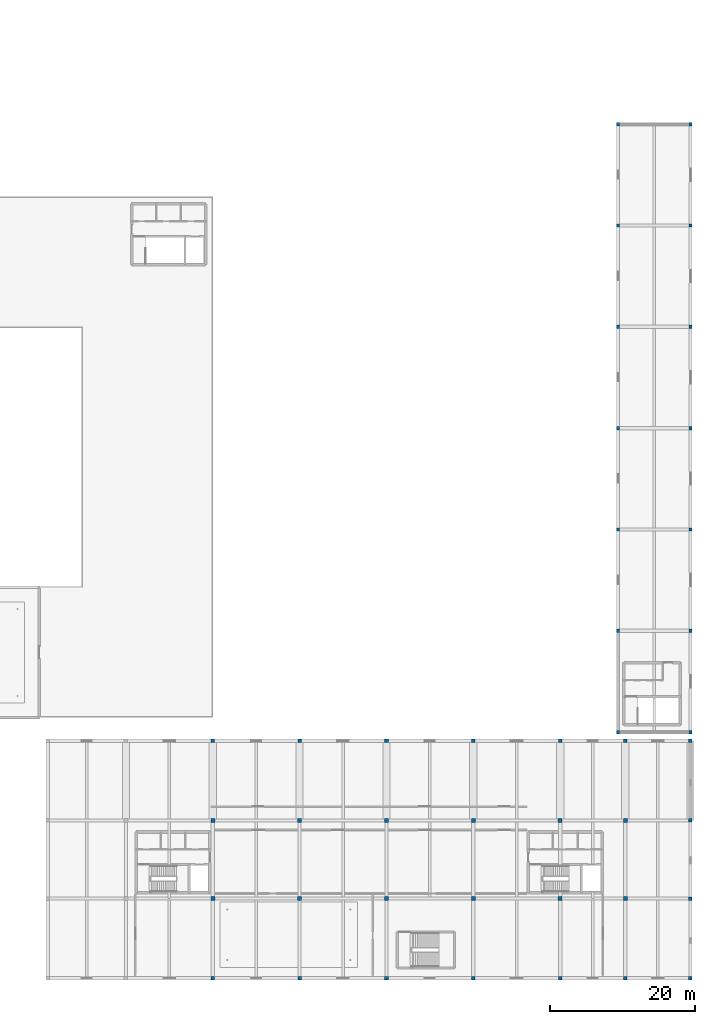
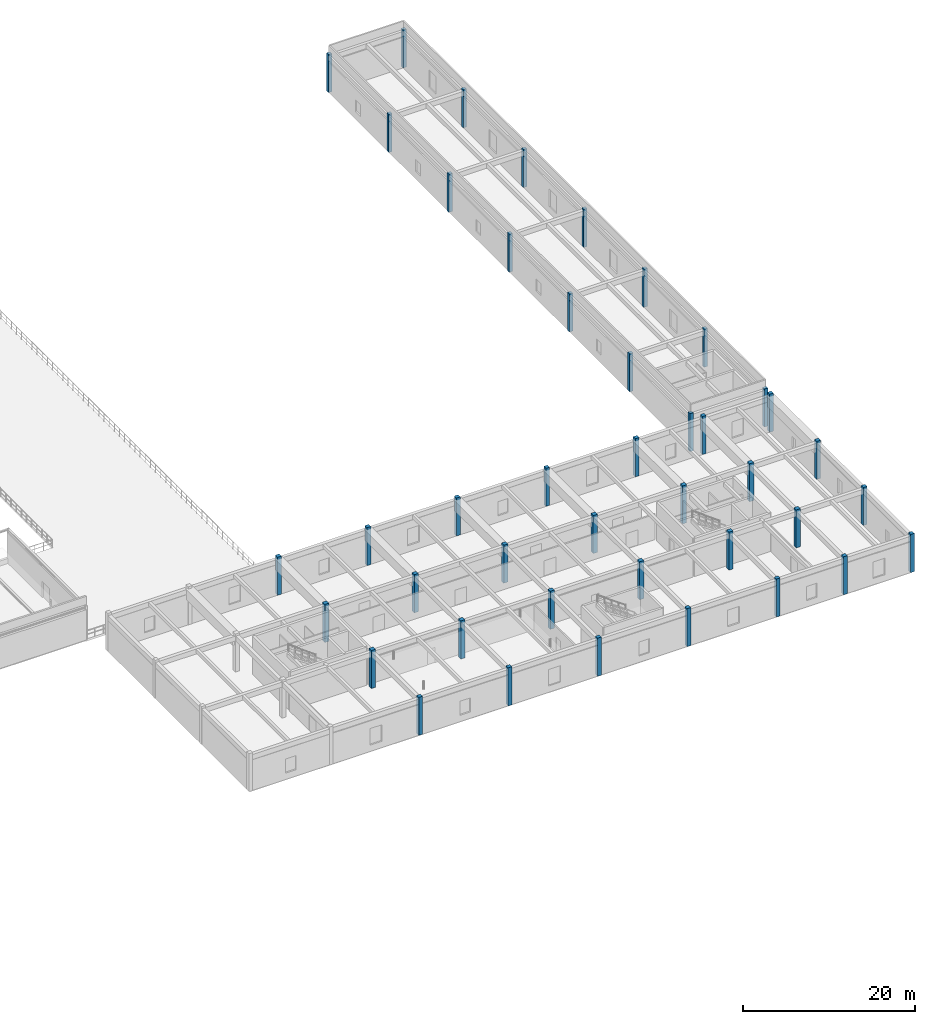
# One storey, part 12 of 97: 42 columns.
"""IFC4 building model written with IfcOpenShell, lengths in metres."""

from ifc_helpers import new_model, si_unit, derived_unit, direction, frame, origin, origin_2d, place, context, subcontext, project, spatial, rectangle, extrude, material, material_profile, profile_set, type_object, element, save


model = new_model("IFC4")

# Units and contexts
model_context = context("Model", 3, precision=1e-05, world=origin(), true_north=direction((0.0, 1.0)))
body_context = subcontext(model_context, "Body", "Model", "MODEL_VIEW")
ifc_project = project(units=[si_unit("LENGTHUNIT", "METRE"), si_unit("AREAUNIT", "SQUARE_METRE"), si_unit("VOLUMEUNIT", "CUBIC_METRE"), si_unit("PLANEANGLEUNIT", "RADIAN"), si_unit("MASSUNIT", "GRAM", prefix="KILO"), derived_unit("THERMALTRANSMITTANCEUNIT", [(si_unit("POWERUNIT", "WATT"), 1), (si_unit("LENGTHUNIT", "METRE"), -2), (si_unit("THERMODYNAMICTEMPERATUREUNIT", "KELVIN"), -1)])], contexts=[model_context])

# Site, building, storey
site_placement = place(None, origin())
site = spatial("IfcSite", under=ifc_project, at=site_placement, CompositionType="ELEMENT")
building_placement = place(site_placement, origin())
building = spatial("IfcBuilding", under=site, at=building_placement, Name="Almenara Railside Exhibition Hall", CompositionType="ELEMENT")
storey_placement = place(building_placement, frame((0.0, 0.0, 10.800048828125)))
storey = spatial("IfcBuildingStorey", under=building, at=storey_placement, Name="L02", CompositionType="ELEMENT", Elevation=10.800048828125)

# Columns
ifc_material = material(Name="Concrete C35/45", Category="concrete")
ifc_material_profile_1 = material_profile(ifc_material, rectangle(XDim=0.449951171875, YDim=0.449951171875, at=origin_2d()), Name="RC 450x450")
ifc_profile_set_1 = profile_set([ifc_material_profile_1], Name="Concrete C35/45")
column_type_1 = type_object("IfcColumnType", Name="RC Column 450x450 C35/45", PredefinedType="COLUMN", material=ifc_profile_set_1)
for number, where, z_axis, x_axis, name in (
    (1, (194.0, 34.0, 0.0), (0.0, 0.0, 1.0), (1.0, 0.0, 0.0), "Column 0455"),
    (2, (204.0, 34.0, 0.0), (0.0, 0.0, 1.0), (1.0, 0.0, 0.0), "Column 0458"),
    (3, (194.0, 48.0, 0.0), (0.0, 0.0, 1.0), (1.0, 0.0, 0.0), "Column 0461"),
    (4, (204.0, 48.0, 0.0), (0.0, 0.0, 1.0), (1.0, 0.0, 0.0), "Column 0464"),
    (5, (194.0, 62.0, 0.0), (0.0, 0.0, 1.0), (1.0, 0.0, 0.0), "Column 0467"),
    (6, (204.0, 62.0, 0.0), (0.0, 0.0, 1.0), (1.0, 0.0, 0.0), "Column 0470"),
    (7, (194.0, 76.0, 0.0), (0.0, 0.0, 1.0), (1.0, 0.0, 0.0), "Column 0473"),
    (8, (204.0, 76.0, 0.0), (0.0, 0.0, 1.0), (1.0, 0.0, 0.0), "Column 0476"),
    (9, (194.0, 90.0, 0.0), (0.0, 0.0, 1.0), (1.0, 0.0, 0.0), "Column 0479"),
    (10, (204.0, 90.0, 0.0), (0.0, 0.0, 1.0), (1.0, 0.0, 0.0), "Column 0482"),
    (11, (194.0, 104.0, 0.0), (0.0, 0.0, 1.0), (1.0, 0.0, 0.0), "Column 0485"),
    (12, (204.0, 104.0, 0.0), (0.0, 0.0, 1.0), (1.0, 0.0, 0.0), "Column 0488"),
    (13, (194.0, 118.0, 0.0), (0.0, 0.0, 1.0), (1.0, 0.0, 0.0), "Column 0491"),
    (14, (204.0, 118.0, 0.0), (0.0, 0.0, 1.0), (1.0, 0.0, 0.0), "Column 0494"),
):
    element("IfcColumn", number, at=place(storey_placement, frame(where, z_axis=z_axis, x_axis=x_axis)), inside=storey, type_object=column_type_1, Name=name, PredefinedType="COLUMN", context=body_context, shape_type="SweptSolid", body=[
        extrude(rectangle(XDim=0.449951171875, YDim=0.449951171875, at=origin_2d()), origin(), (0.0, 0.0, 1.0), 5.39990234375),
    ])
ifc_material_profile_2 = material_profile(ifc_material, rectangle(XDim=0.5, YDim=0.5, at=origin_2d()), Name="RC 500x500")
ifc_profile_set_2 = profile_set([ifc_material_profile_2], Name="Concrete C35/45")
column_type_2 = type_object("IfcColumnType", Name="RC Column 500x500 C35/45", PredefinedType="COLUMN", material=ifc_profile_set_2)
for number, where, z_axis, x_axis, name in (
    (15, (138.0, 0.0, 0.0), (0.0, 0.0, 1.0), (1.0, 0.0, 0.0), "Column 0323"),
    (16, (138.0, 32.800048828125, 0.0), (0.0, 0.0, 1.0), (1.0, 0.0, 0.0), "Column 0338"),
    (17, (150.0, 0.0, 0.0), (0.0, 0.0, 1.0), (1.0, 0.0, 0.0), "Column 0342"),
    (18, (150.0, 32.800048828125, 0.0), (0.0, 0.0, 1.0), (1.0, 0.0, 0.0), "Column 0357"),
    (19, (162.0, 0.0, 0.0), (0.0, 0.0, 1.0), (1.0, 0.0, 0.0), "Column 0361"),
    (20, (162.0, 32.800048828125, 0.0), (0.0, 0.0, 1.0), (1.0, 0.0, 0.0), "Column 0376"),
    (21, (174.0, 0.0, 0.0), (0.0, 0.0, 1.0), (1.0, 0.0, 0.0), "Column 0380"),
    (22, (174.0, 32.800048828125, 0.0), (0.0, 0.0, 1.0), (1.0, 0.0, 0.0), "Column 0395"),
    (23, (186.0, 0.0, 0.0), (0.0, 0.0, 1.0), (1.0, 0.0, 0.0), "Column 0399"),
    (24, (186.0, 32.800048828125, 0.0), (0.0, 0.0, 1.0), (1.0, 0.0, 0.0), "Column 0414"),
    (25, (195.0, 0.0, 0.0), (0.0, 0.0, 1.0), (1.0, 0.0, 0.0), "Column 0418"),
    (26, (195.0, 32.800048828125, 0.0), (0.0, 0.0, 1.0), (1.0, 0.0, 0.0), "Column 0433"),
    (27, (204.0, 0.0, 0.0), (0.0, 0.0, 1.0), (1.0, 0.0, 0.0), "Column 0437"),
    (28, (204.0, 11.0, 0.0), (0.0, 0.0, 1.0), (1.0, 0.0, 0.0), "Column 0442"),
    (29, (204.0, 21.800048828125, 0.0), (0.0, 0.0, 1.0), (1.0, 0.0, 0.0), "Column 0447"),
    (30, (204.0, 32.800048828125, 0.0), (0.0, 0.0, 1.0), (1.0, 0.0, 0.0), "Column 0452"),
):
    element("IfcColumn", number, at=place(storey_placement, frame(where, z_axis=z_axis, x_axis=x_axis)), inside=storey, type_object=column_type_2, Name=name, PredefinedType="COLUMN", context=body_context, shape_type="SweptSolid", body=[
        extrude(rectangle(XDim=0.5, YDim=0.5, at=origin_2d()), origin(), (0.0, 0.0, 1.0), 5.39990234375),
    ])
ifc_material_profile_3 = material_profile(ifc_material, rectangle(XDim=0.550048828125, YDim=0.550048828125, at=origin_2d()), Name="RC 550x550")
ifc_profile_set_3 = profile_set([ifc_material_profile_3], Name="Concrete C35/45")
column_type_3 = type_object("IfcColumnType", Name="RC Column 550x550 C35/45", PredefinedType="COLUMN", material=ifc_profile_set_3)
for number, where, z_axis, x_axis, name in (
    (31, (138.0, 11.0, 0.0), (0.0, 0.0, 1.0), (1.0, 0.0, 0.0), "Column 0328"),
    (32, (138.0, 21.800048828125, 0.0), (0.0, 0.0, 1.0), (1.0, 0.0, 0.0), "Column 0333"),
    (33, (150.0, 11.0, 0.0), (0.0, 0.0, 1.0), (1.0, 0.0, 0.0), "Column 0347"),
    (34, (150.0, 21.800048828125, 0.0), (0.0, 0.0, 1.0), (1.0, 0.0, 0.0), "Column 0352"),
    (35, (162.0, 11.0, 0.0), (0.0, 0.0, 1.0), (1.0, 0.0, 0.0), "Column 0366"),
    (36, (162.0, 21.800048828125, 0.0), (0.0, 0.0, 1.0), (1.0, 0.0, 0.0), "Column 0371"),
    (37, (174.0, 11.0, 0.0), (0.0, 0.0, 1.0), (1.0, 0.0, 0.0), "Column 0385"),
    (38, (174.0, 21.800048828125, 0.0), (0.0, 0.0, 1.0), (1.0, 0.0, 0.0), "Column 0390"),
    (39, (186.0, 11.0, 0.0), (0.0, 0.0, 1.0), (1.0, 0.0, 0.0), "Column 0404"),
    (40, (186.0, 21.800048828125, 0.0), (0.0, 0.0, 1.0), (1.0, 0.0, 0.0), "Column 0409"),
    (41, (195.0, 11.0, 0.0), (0.0, 0.0, 1.0), (1.0, 0.0, 0.0), "Column 0423"),
    (42, (195.0, 21.800048828125, 0.0), (0.0, 0.0, 1.0), (1.0, 0.0, 0.0), "Column 0428"),
):
    element("IfcColumn", number, at=place(storey_placement, frame(where, z_axis=z_axis, x_axis=x_axis)), inside=storey, type_object=column_type_3, Name=name, PredefinedType="COLUMN", context=body_context, shape_type="SweptSolid", body=[
        extrude(rectangle(XDim=0.550048828125, YDim=0.550048828125, at=origin_2d()), origin(), (0.0, 0.0, 1.0), 5.39990234375),
    ])

save(model, "model.ifc")
